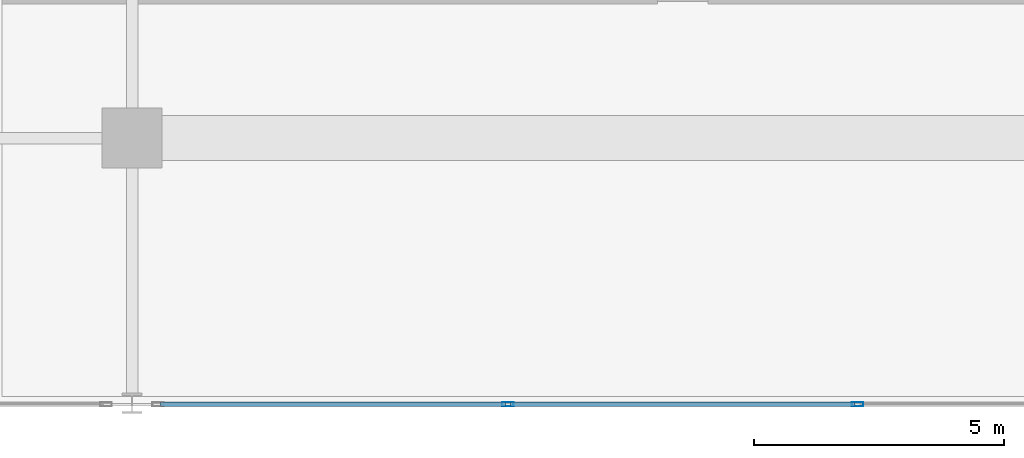
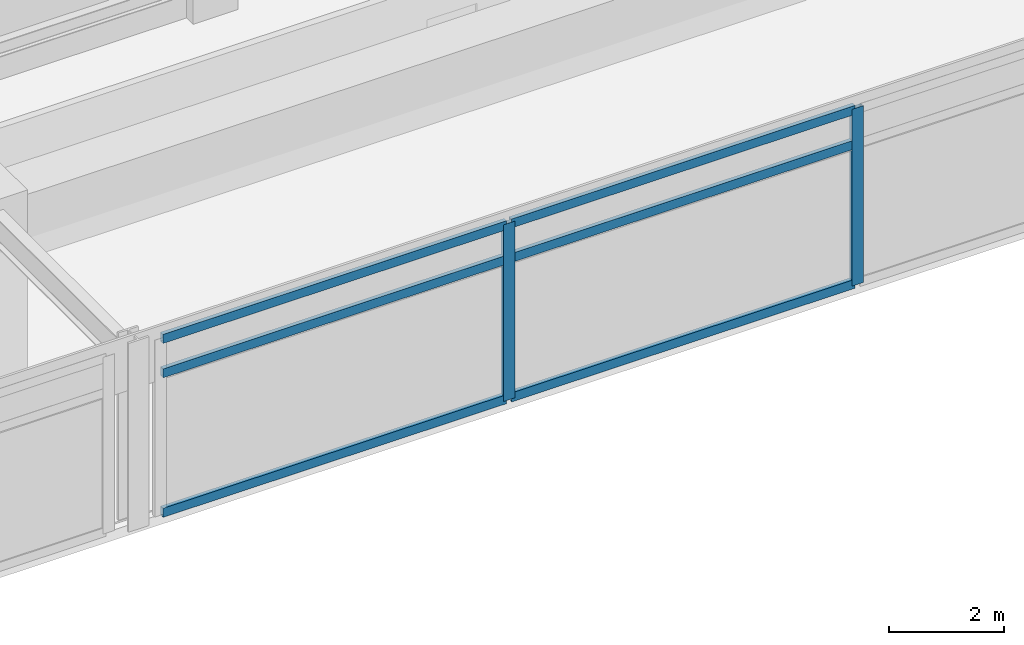
# One storey, part 4 of 20: 8 members, 1 element without a shape of its own.
"""IFC4 building model written with IfcOpenShell, lengths in metres."""

from ifc_helpers import new_model, si_unit, direction, frame, origin, origin_2d, place, context, subcontext, project, spatial, hollow_rectangle, extrude, material, material_profile, profile_set, type_object, element, aggregate, save


model = new_model("IFC4")

# Units and contexts
model_context = context("Model", 3, precision=1e-05, world=origin(), true_north=direction((0.0, 1.0)))
body_context = subcontext(model_context, "Body", "Model", "MODEL_VIEW")
ifc_project = project(units=[si_unit("LENGTHUNIT", "METRE"), si_unit("AREAUNIT", "SQUARE_METRE"), si_unit("VOLUMEUNIT", "CUBIC_METRE"), si_unit("PLANEANGLEUNIT", "RADIAN"), si_unit("MASSUNIT", "GRAM", prefix="KILO")], contexts=[model_context])

# Site, building, storey
site_placement = place(None, origin())
site = spatial("IfcSite", under=ifc_project, at=site_placement, CompositionType="ELEMENT")
building_placement = place(site_placement, origin())
building = spatial("IfcBuilding", under=site, at=building_placement, Name="Kovane Verandah Tower", CompositionType="ELEMENT")
storey_placement = place(building_placement, frame((0.0, 0.0, 287.199951171875)))
storey = spatial("IfcBuildingStorey", under=building, at=storey_placement, Name="L67", CompositionType="ELEMENT", Elevation=287.199951171875)

# Curtain wall, members
ifc_material_1 = material(Name="Champagne Anodised Aluminium Frame with Low-E Clear Laminated Glass", Category="aluminium")
curtain_wall_type = type_object("IfcCurtainWallType", Name="CW-SYS-05-HIGH", PredefinedType="NOTDEFINED", material=ifc_material_1)
curtain_wall_placement = place(storey_placement, origin())
curtain_wall = element("IfcCurtainWall", 1, at=curtain_wall_placement, inside=storey, type_object=curtain_wall_type, Name="L67 S Unitised Curtain Wall-2", PredefinedType="NOTDEFINED")
ifc_material_2 = material(Name="Champagne Anodised Aluminium 6063-T6", Category="aluminium")
ifc_material_profile_1 = material_profile(ifc_material_2, hollow_rectangle(XDim=0.0849609375, YDim=0.22998046875, WallThickness=0.00390625, at=origin_2d()), Name="AL85x230x4")
ifc_profile_set_1 = profile_set([ifc_material_profile_1], Name="Champagne Anodised Aluminium 6063-T6")
member_type_1 = type_object("IfcMemberType", Name="CW-MUL-85x230", PredefinedType="MULLION", material=ifc_profile_set_1)
member_1_placement = place(storey_placement, frame((36.506591796875, 5.485595703125, 0.02001953125), z_axis=(0.0, 0.0, 1.0), x_axis=(0.0, -1.0, 0.0)))
member_1 = element("IfcMember", 2, at=member_1_placement, type_object=member_type_1, Name="L67 S Unitised Curtain Wall-2 Mullion 2", PredefinedType="MULLION", context=body_context, shape_type="SweptSolid", body=[
    extrude(hollow_rectangle(XDim=0.0849609375, YDim=0.22998046875, WallThickness=0.00390625, at=origin_2d()), origin(), (0.0, 0.0, 1.0), 3.7451171875),
])
member_2_placement = place(storey_placement, frame((43.493408203125, 5.485595703125, 0.02001953125), z_axis=(0.0, 0.0, 1.0), x_axis=(0.0, -1.0, 0.0)))
member_2 = element("IfcMember", 3, at=member_2_placement, type_object=member_type_1, Name="L67 S Unitised Curtain Wall-2 Mullion 3", PredefinedType="MULLION", context=body_context, shape_type="SweptSolid", body=[
    extrude(hollow_rectangle(XDim=0.0849609375, YDim=0.22998046875, WallThickness=0.00390625, at=origin_2d()), origin(), (0.0, 0.0, 1.0), 3.7451171875),
])
ifc_material_profile_2 = material_profile(ifc_material_2, hollow_rectangle(XDim=0.0849609375, YDim=0.18994140625, WallThickness=0.00390625, at=origin_2d()), Name="AL85x190x4")
ifc_profile_set_2 = profile_set([ifc_material_profile_2], Name="Champagne Anodised Aluminium 6063-T6")
member_type_2 = type_object("IfcMemberType", Name="CW-TRN-85x190", PredefinedType="USERDEFINED", material=ifc_profile_set_2)
member_3_placement = place(storey_placement, frame((29.570068359375, 5.485595703125, 0.050048828125), z_axis=(1.0, 0.0, 0.0), x_axis=(0.0, 1.0, 0.0)))
member_3 = element("IfcMember", 4, at=member_3_placement, type_object=member_type_2, Name="L67 S Unitised Curtain Wall-2 Transom TB Bay 1", ObjectType="TRANSOM", PredefinedType="USERDEFINED", context=body_context, shape_type="SweptSolid", body=[
    extrude(hollow_rectangle(XDim=0.0849609375, YDim=0.18994140625, WallThickness=0.00390625, at=origin_2d()), origin(), (0.0, 0.0, 1.0), 6.88671875),
])
member_4_placement = place(storey_placement, frame((29.570068359375, 5.485595703125, 3.005126953125), z_axis=(1.0, 0.0, 0.0), x_axis=(0.0, 1.0, 0.0)))
member_4 = element("IfcMember", 5, at=member_4_placement, type_object=member_type_2, Name="L67 S Unitised Curtain Wall-2 Transom TM Bay 1", ObjectType="TRANSOM", PredefinedType="USERDEFINED", context=body_context, shape_type="SweptSolid", body=[
    extrude(hollow_rectangle(XDim=0.0849609375, YDim=0.18994140625, WallThickness=0.00390625, at=origin_2d()), origin(), (0.0, 0.0, 1.0), 6.88671875),
])
member_5_placement = place(storey_placement, frame((29.570068359375, 5.485595703125, 3.735107421875), z_axis=(1.0, 0.0, 0.0), x_axis=(0.0, 1.0, 0.0)))
member_5 = element("IfcMember", 6, at=member_5_placement, type_object=member_type_2, Name="L67 S Unitised Curtain Wall-2 Transom TT Bay 1", ObjectType="TRANSOM", PredefinedType="USERDEFINED", context=body_context, shape_type="SweptSolid", body=[
    extrude(hollow_rectangle(XDim=0.0849609375, YDim=0.18994140625, WallThickness=0.00390625, at=origin_2d()), origin(), (0.0, 0.0, 1.0), 6.88671875),
])
member_6_placement = place(storey_placement, frame((36.556640625, 5.485595703125, 0.050048828125), z_axis=(1.0, 0.0, 0.0), x_axis=(0.0, 1.0, 0.0)))
member_6 = element("IfcMember", 7, at=member_6_placement, type_object=member_type_2, Name="L67 S Unitised Curtain Wall-2 Transom TB Bay 2", ObjectType="TRANSOM", PredefinedType="USERDEFINED", context=body_context, shape_type="SweptSolid", body=[
    extrude(hollow_rectangle(XDim=0.0849609375, YDim=0.18994140625, WallThickness=0.00390625, at=origin_2d()), origin(), (0.0, 0.0, 1.0), 6.88671875),
])
member_7_placement = place(storey_placement, frame((36.556640625, 5.485595703125, 3.005126953125), z_axis=(1.0, 0.0, 0.0), x_axis=(0.0, 1.0, 0.0)))
member_7 = element("IfcMember", 8, at=member_7_placement, type_object=member_type_2, Name="L67 S Unitised Curtain Wall-2 Transom TM Bay 2", ObjectType="TRANSOM", PredefinedType="USERDEFINED", context=body_context, shape_type="SweptSolid", body=[
    extrude(hollow_rectangle(XDim=0.0849609375, YDim=0.18994140625, WallThickness=0.00390625, at=origin_2d()), origin(), (0.0, 0.0, 1.0), 6.88671875),
])
member_8_placement = place(storey_placement, frame((36.556640625, 5.485595703125, 3.735107421875), z_axis=(1.0, 0.0, 0.0), x_axis=(0.0, 1.0, 0.0)))
member_8 = element("IfcMember", 9, at=member_8_placement, type_object=member_type_2, Name="L67 S Unitised Curtain Wall-2 Transom TT Bay 2", ObjectType="TRANSOM", PredefinedType="USERDEFINED", context=body_context, shape_type="SweptSolid", body=[
    extrude(hollow_rectangle(XDim=0.0849609375, YDim=0.18994140625, WallThickness=0.00390625, at=origin_2d()), origin(), (0.0, 0.0, 1.0), 6.88671875),
])
aggregate(curtain_wall, [member_1, member_2, member_3, member_4, member_5, member_6, member_7, member_8])

save(model, "model.ifc")
